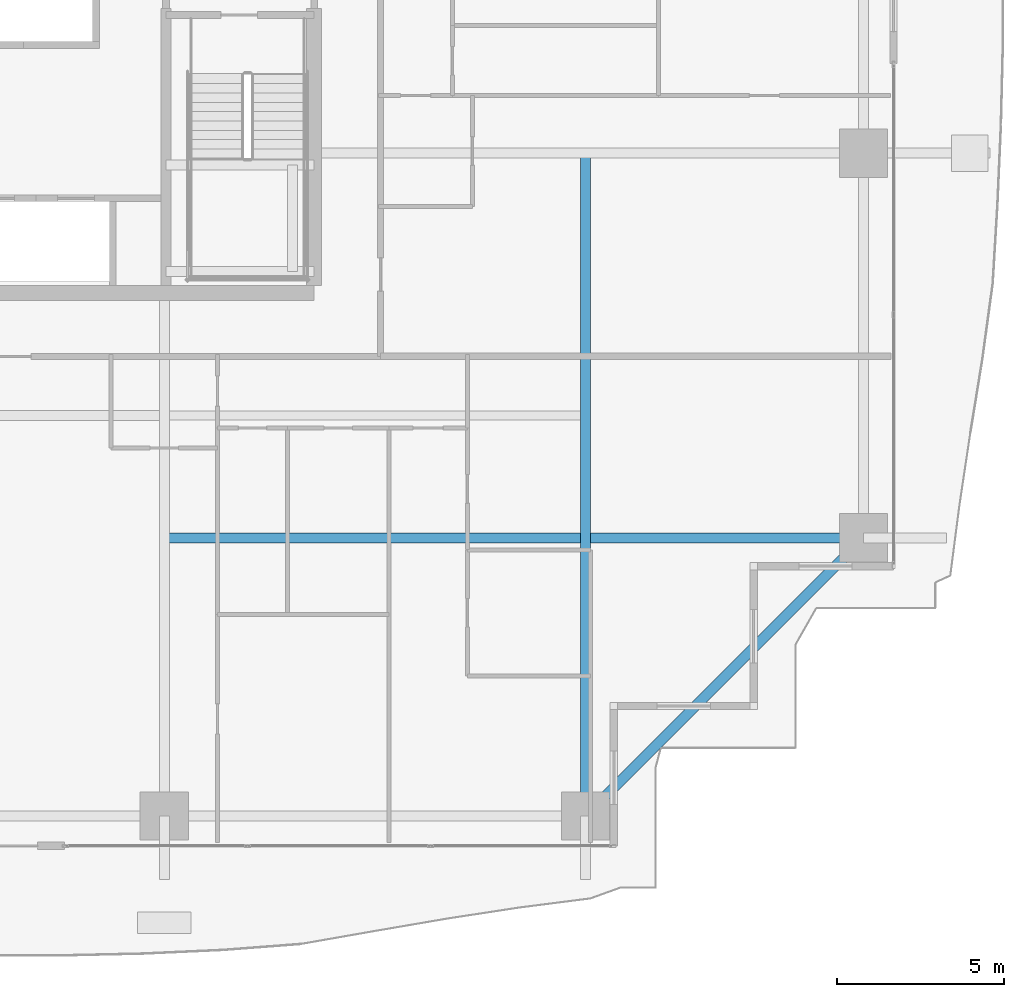
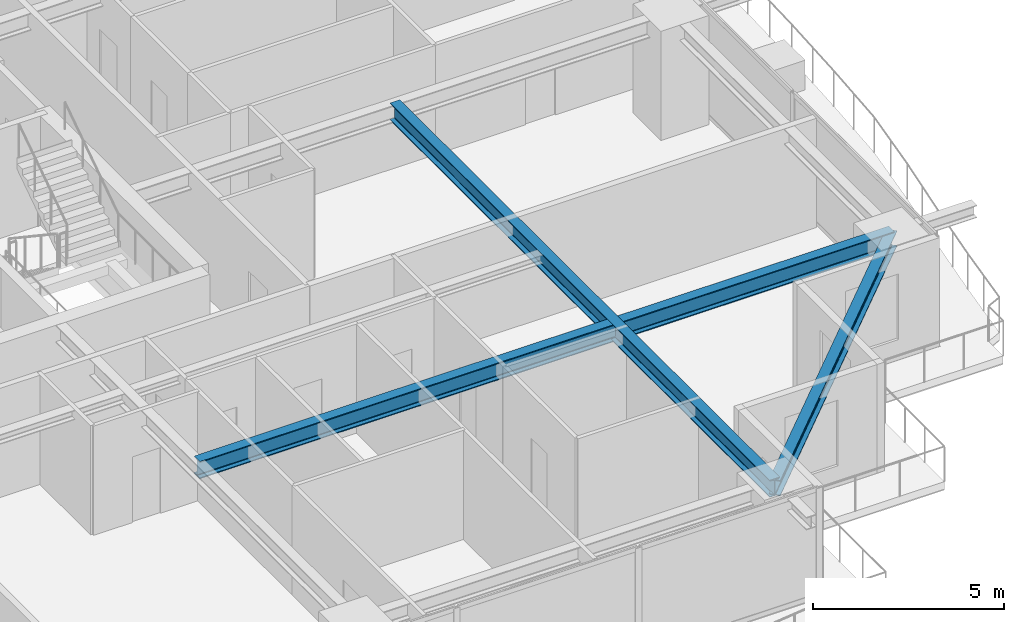
# One storey, part 12 of 39: 3 beams.
"""IFC4 building model written with IfcOpenShell, lengths in metres."""

from ifc_helpers import new_model, si_unit, direction, frame, origin, origin_2d, place, context, subcontext, project, spatial, i_section, extrude, source, transform, mapped, material, material_profile, profile_set, type_object, element, save


model = new_model("IFC4")

# Units and contexts
model_context = context("Model", 3, precision=1e-05, world=origin(), true_north=direction((0.0, 1.0)))
body_context = subcontext(model_context, "Body", "Model", "MODEL_VIEW")
ifc_project = project(units=[si_unit("LENGTHUNIT", "METRE"), si_unit("AREAUNIT", "SQUARE_METRE"), si_unit("VOLUMEUNIT", "CUBIC_METRE"), si_unit("PLANEANGLEUNIT", "RADIAN"), si_unit("MASSUNIT", "GRAM", prefix="KILO")], contexts=[model_context])

# Site, building, storey
site_placement = place(None, origin())
site = spatial("IfcSite", under=ifc_project, at=site_placement, CompositionType="ELEMENT")
building_placement = place(site_placement, origin())
building = spatial("IfcBuilding", under=site, at=building_placement, Name="Serunith Strait Residences", CompositionType="ELEMENT")
storey_placement = place(building_placement, frame((0.0, 0.0, 79.199951171875)))
storey = spatial("IfcBuildingStorey", under=building, at=storey_placement, Name="L19", CompositionType="ELEMENT", Elevation=79.199951171875)

# Beams
ifc_material = material(Name="Steel S355J2", Category="steel")
ifc_material_profile_1 = material_profile(ifc_material, i_section(OverallWidth=0.300048828125, OverallDepth=0.550048828125, WebThickness=0.014892578125, FlangeThickness=0.029052734375, FilletRadius=0.027099609375, at=origin_2d()), Name="HEB 550")
ifc_profile_set_1 = profile_set([ifc_material_profile_1], Name="Steel S355J2")
beam_type_1 = type_object("IfcBeamType", Name="BM-HEB550", PredefinedType="BEAM", material=ifc_profile_set_1)
shared_shape_1 = source(origin(), body_context, "Body", "SweptSolid", [
    extrude(i_section(OverallWidth=0.300048828125, OverallDepth=0.550048828125, WebThickness=0.014892578125, FlangeThickness=0.029052734375, FilletRadius=0.027099609375, at=origin_2d()), origin(), (0.0, 0.0, 1.0), 19.89990234375),
])
beam_1_placement = place(storey_placement, frame((49.550048828125, 21.0, 3.212158203125), z_axis=(0.0, -1.0, 0.0), x_axis=(1.0, 0.0, 0.0)))
element("IfcBeam", 1, at=beam_1_placement, inside=storey, type_object=beam_type_1, Name="L19 Orthogonal Corner Girder TC-S4", PredefinedType="BEAM", context=body_context, shape_type="MappedRepresentation", body=[
    mapped(shared_shape_1, transform((0.0, 0.0, 0.0), scale=1.0)),
])
shared_shape_2 = source(origin(), body_context, "Body", "SweptSolid", [
    extrude(i_section(OverallWidth=0.300048828125, OverallDepth=0.550048828125, WebThickness=0.014892578125, FlangeThickness=0.029052734375, FilletRadius=0.027099609375, at=origin_2d()), origin(), (0.0, 0.0, 1.0), 21.0),
])
beam_2_placement = place(storey_placement, frame((36.89990234375, 9.449951171875, 3.212158203125), z_axis=(1.0, 0.0, 0.0), x_axis=(0.0, 1.0, 0.0)))
element("IfcBeam", 2, at=beam_2_placement, inside=storey, type_object=beam_type_1, Name="L19 Orthogonal Corner Girder TC-E1", PredefinedType="BEAM", context=body_context, shape_type="MappedRepresentation", body=[
    mapped(shared_shape_2, transform((0.0, 0.0, 0.0), scale=1.0)),
])
ifc_material_profile_2 = material_profile(ifc_material, i_section(OverallWidth=0.300048828125, OverallDepth=0.5, WebThickness=0.014404296875, FlangeThickness=0.028076171875, FilletRadius=0.027099609375, at=origin_2d()), Name="HEB 500")
ifc_profile_set_2 = profile_set([ifc_material_profile_2], Name="Steel S355J2")
beam_type_2 = type_object("IfcBeamType", Name="BM-HEB500", PredefinedType="BEAM", material=ifc_profile_set_2)
shared_shape_3 = source(origin(), body_context, "Body", "SweptSolid", [
    extrude(i_section(OverallWidth=0.300048828125, OverallDepth=0.5, WebThickness=0.014404296875, FlangeThickness=0.028076171875, FilletRadius=0.027099609375, at=origin_2d()), origin(), (0.0, 0.0, 1.0), 11.80859375),
])
beam_3_placement = place(storey_placement, frame((49.550048828125, 1.10009765625, 3.20703125), z_axis=(0.707106781187, 0.707106781187, 0.0), x_axis=(-0.707106781187, 0.707106781187, 0.0)))
element("IfcBeam", 3, at=beam_3_placement, inside=storey, type_object=beam_type_2, Name="L19 Perimeter Ring Beam 04", PredefinedType="BEAM", context=body_context, shape_type="MappedRepresentation", body=[
    mapped(shared_shape_3, transform((0.0, 0.0, 0.0), scale=1.0)),
])

save(model, "model.ifc")
